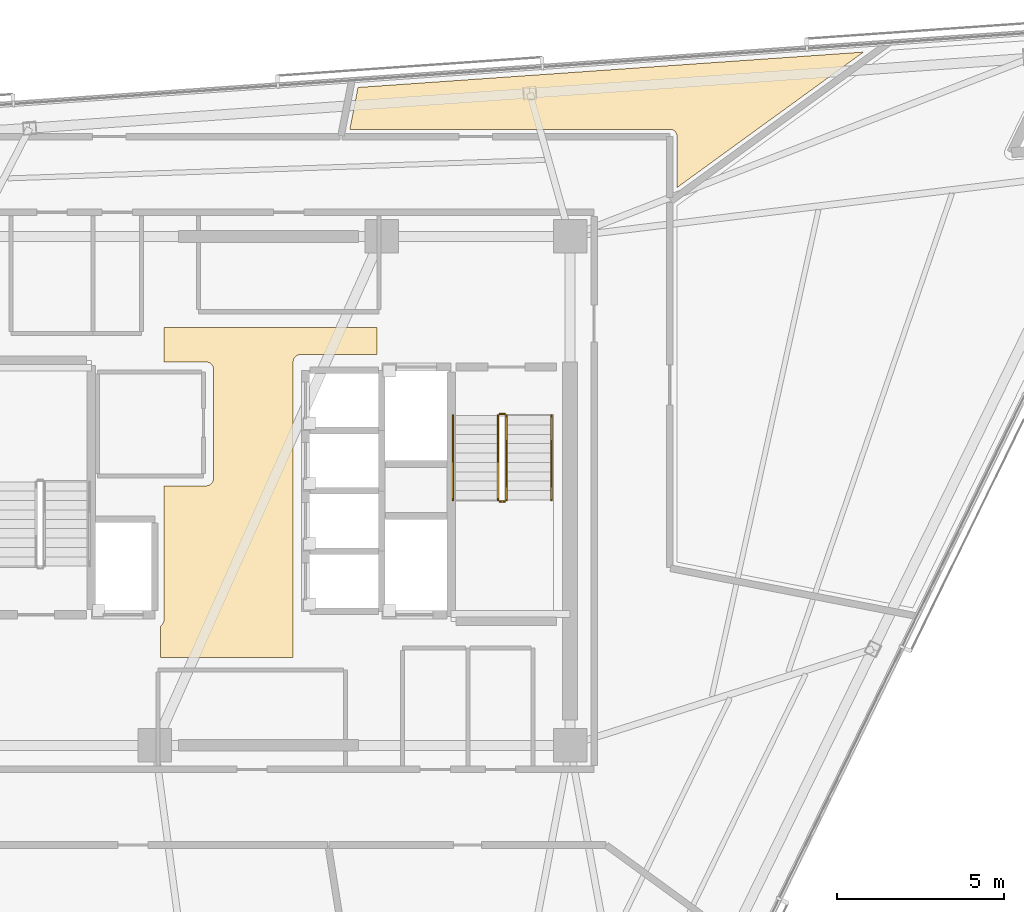
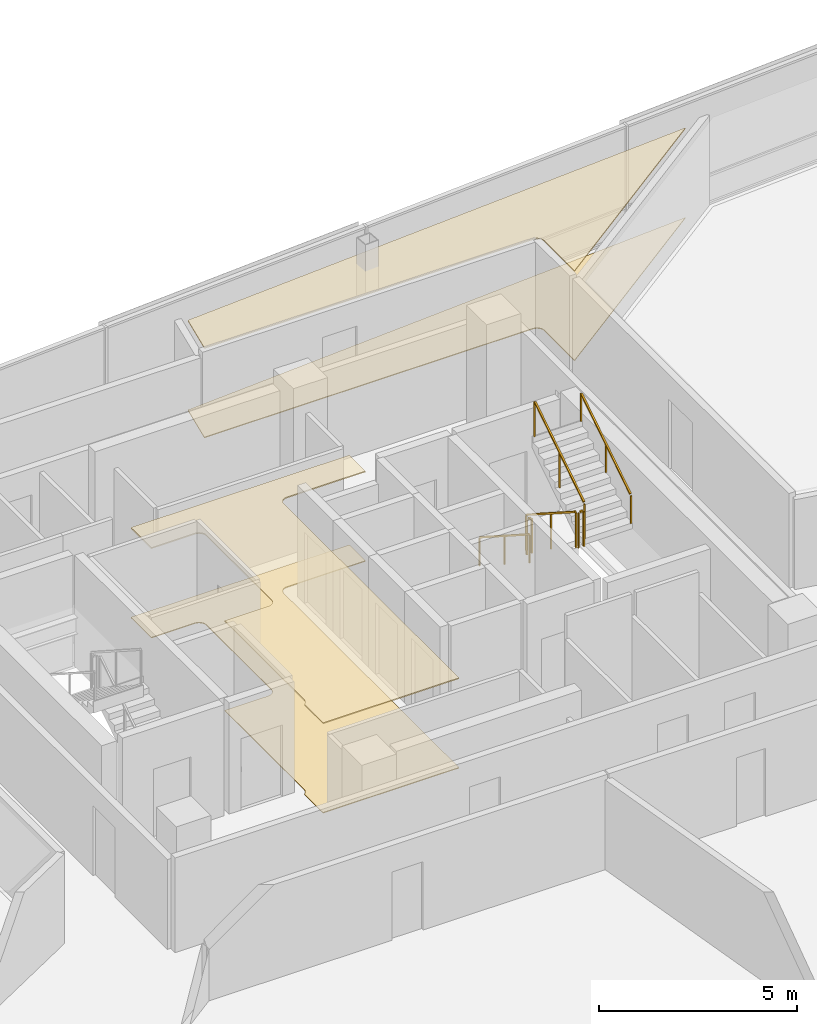
# One storey, part 14 of 15: 6 railings, 4 coverings.
"""IFC4 building model written with IfcOpenShell, lengths in metres."""

from ifc_helpers import new_model, si_unit, direction, frame, origin, origin_2d, place, context, subcontext, project, spatial, polyline, rectangle, outline, extrude, material, layer, layer_set, type_object, element, save


model = new_model("IFC4")

# Units and contexts
model_context = context("Model", 3, precision=1e-05, world=origin(), true_north=direction((0.0, 1.0)))
body_context = subcontext(model_context, "Body", "Model", "MODEL_VIEW")
ifc_project = project(units=[si_unit("LENGTHUNIT", "METRE"), si_unit("AREAUNIT", "SQUARE_METRE"), si_unit("VOLUMEUNIT", "CUBIC_METRE"), si_unit("PLANEANGLEUNIT", "RADIAN"), si_unit("MASSUNIT", "GRAM", prefix="KILO")], contexts=[model_context])

# Site, building, storey
site_placement = place(None, origin())
site = spatial("IfcSite", under=ifc_project, at=site_placement, CompositionType="ELEMENT")
building_placement = place(site_placement, origin())
building = spatial("IfcBuilding", under=site, at=building_placement, Name="Tharavind Bronze Gate", CompositionType="ELEMENT")
storey_placement = place(building_placement, frame((0.0, 0.0, 267.800048828125)))
storey = spatial("IfcBuildingStorey", under=building, at=storey_placement, Name="L69", CompositionType="ELEMENT", Elevation=267.800048828125)

# Coverings
ifc_material_1 = material(Name="Perforated Bronze Acoustic Panel", Category="bronze")
ifc_layer_1 = layer(ifc_material_1, 0.044921875)
ifc_layer_set_1 = layer_set([ifc_layer_1], Name="Perforated Bronze Acoustic Panel")
covering_type_1 = type_object("IfcCoveringType", Name="ACOUSTIC BRONZE BAFFLE CEILING", PredefinedType="CEILING", material=ifc_layer_set_1)
covering_1_placement = place(storey_placement, frame((0.0, 0.0, 2.75)))
element("IfcCovering", 1, at=covering_1_placement, inside=storey, type_object=covering_type_1, Name="L69-C-LL suspended ceiling", PredefinedType="CEILING", context=body_context, shape_type="SweptSolid", body=[
    extrude(outline(polyline([(-3.330078125, -4.97998046875), (0.6298828125, -4.97998046875), (0.6298828125, 3.85009765625), (0.631103515625, 3.87158203125), (0.63427734375, 3.892822265625), (0.639404296875, 3.913818359375), (0.646728515625, 3.93408203125), (0.656005859375, 3.95361328125), (0.6669921875, 3.97216796875), (0.679931640625, 3.989501953125), (0.6943359375, 4.005615234375), (0.71044921875, 4.02001953125), (0.727783203125, 4.032958984375), (0.746337890625, 4.0439453125), (0.765869140625, 4.05322265625), (0.7861328125, 4.060546875), (0.80712890625, 4.06591796875), (0.828369140625, 4.06884765625), (0.85009765625, 4.070068359375), (3.1298828125, 4.070068359375), (3.1298828125, 4.8798828125), (-3.22998046875, 4.8798828125), (-3.22998046875, 3.85009765625), (-1.969970703125, 3.85009765625), (-1.948486328125, 3.848876953125), (-1.927001953125, 3.845703125), (-1.906005859375, 3.840576171875), (-1.8857421875, 3.833251953125), (-1.8662109375, 3.823974609375), (-1.847900390625, 3.81298828125), (-1.830322265625, 3.800048828125), (-1.814453125, 3.78564453125), (-1.7998046875, 3.76953125), (-1.787109375, 3.752197265625), (-1.77587890625, 3.733642578125), (-1.7666015625, 3.714111328125), (-1.759521484375, 3.69384765625), (-1.754150390625, 3.6728515625), (-1.751220703125, 3.651611328125), (-1.75, 3.6298828125), (-1.75, 0.3701171875), (-1.751220703125, 0.348388671875), (-1.754150390625, 0.3271484375), (-1.759521484375, 0.30615234375), (-1.7666015625, 0.285888671875), (-1.77587890625, 0.266357421875), (-1.787109375, 0.247802734375), (-1.7998046875, 0.23046875), (-1.814453125, 0.21435546875), (-1.830322265625, 0.199951171875), (-1.847900390625, 0.18701171875), (-1.8662109375, 0.176025390625), (-1.8857421875, 0.166748046875), (-1.906005859375, 0.159423828125), (-1.927001953125, 0.154296875), (-1.948486328125, 0.151123046875), (-1.969970703125, 0.14990234375), (-3.22998046875, 0.14990234375), (-3.22998046875, -3.85009765625), (-3.231201171875, -3.87158203125), (-3.234130859375, -3.892822265625), (-3.239501953125, -3.913818359375), (-3.24658203125, -3.93408203125), (-3.256103515625, -3.95361328125), (-3.26708984375, -3.97216796875), (-3.27978515625, -3.989501953125), (-3.29443359375, -4.005615234375), (-3.310302734375, -4.02001953125), (-3.327880859375, -4.032958984375), (-3.330078125, -4.0341796875), (-3.330078125, -4.97998046875)])), origin(), (0.0, 0.0, 1.0), 0.034912109375),
])
ifc_material_2 = material(Name="Engineered Oak & Carpet Tile", Category="wood")
ifc_layer_2 = layer(ifc_material_2, 0.02490234375)
ifc_layer_set_2 = layer_set([ifc_layer_2], Name="Engineered Oak & Carpet Tile")
covering_type_2 = type_object("IfcCoveringType", Name="ENGINEERED TIMBER FLOORING", PredefinedType="FLOORING", material=ifc_layer_set_2)
covering_2_placement = place(storey_placement, origin())
element("IfcCovering", 2, at=covering_2_placement, inside=storey, type_object=covering_type_2, Name="L69-RM-01 floor finish", PredefinedType="FLOORING", context=body_context, shape_type="SweptSolid", body=[
    extrude(outline(polyline([(11.87939453125, 10.800048828125), (11.89013671875, 10.7998046875), (11.890869140625, 10.7998046875), (11.912353515625, 10.797607421875), (11.933349609375, 10.79345703125), (11.9541015625, 10.787109375), (11.97412109375, 10.77880859375), (11.9931640625, 10.768798828125), (12.010986328125, 10.756591796875), (12.027587890625, 10.742919921875), (12.04296875, 10.727783203125), (12.056640625, 10.7109375), (12.068603515625, 10.693115234375), (12.078857421875, 10.674072265625), (12.087158203125, 10.654052734375), (12.093505859375, 10.63330078125), (12.09765625, 10.6123046875), (12.099609375, 10.5908203125), (12.099609375, 10.590087890625), (12.10009765625, 10.579345703125), (12.10009765625, 9.06298828125), (17.664306640625, 13.10595703125), (2.56640625, 12.050048828125), (2.323486328125, 10.800048828125), (11.87939453125, 10.800048828125)])), origin(), (0.0, 0.0, 1.0), 0.02490234375),
])
ifc_material_3 = material(Name="Acoustic Gypsum Board", Category="gypsum")
ifc_layer_3 = layer(ifc_material_3, 0.030029296875)
ifc_layer_set_3 = layer_set([ifc_layer_3], Name="Acoustic Gypsum Board")
covering_type_3 = type_object("IfcCoveringType", Name="GYPSUM SUSPENDED CEILING", PredefinedType="CEILING", material=ifc_layer_set_3)
covering_3_placement = place(storey_placement, frame((0.0, 0.0, 2.75)))
element("IfcCovering", 3, at=covering_3_placement, inside=storey, type_object=covering_type_3, Name="L69-RM-01 suspended ceiling", PredefinedType="CEILING", context=body_context, shape_type="SweptSolid", body=[
    extrude(outline(polyline([(11.87939453125, 10.800048828125), (11.89013671875, 10.7998046875), (11.890869140625, 10.7998046875), (11.912353515625, 10.797607421875), (11.933349609375, 10.79345703125), (11.9541015625, 10.787109375), (11.97412109375, 10.77880859375), (11.9931640625, 10.768798828125), (12.010986328125, 10.756591796875), (12.027587890625, 10.742919921875), (12.04296875, 10.727783203125), (12.056640625, 10.7109375), (12.068603515625, 10.693115234375), (12.078857421875, 10.674072265625), (12.087158203125, 10.654052734375), (12.093505859375, 10.63330078125), (12.09765625, 10.6123046875), (12.099609375, 10.5908203125), (12.099609375, 10.590087890625), (12.10009765625, 10.579345703125), (12.10009765625, 9.06298828125), (17.664306640625, 13.10595703125), (2.56640625, 12.050048828125), (2.323486328125, 10.800048828125), (11.87939453125, 10.800048828125)])), origin(), (0.0, 0.0, 1.0), 0.034912109375),
])
ifc_material_4 = material(Name="Honed Travertine Limestone", Category="masonry")
ifc_layer_4 = layer(ifc_material_4, 0.030029296875)
ifc_layer_set_4 = layer_set([ifc_layer_4], Name="Honed Travertine Limestone")
covering_type_4 = type_object("IfcCoveringType", Name="HONED LIMESTONE FLOORING", PredefinedType="FLOORING", material=ifc_layer_set_4)
covering_4_placement = place(storey_placement, origin())
element("IfcCovering", 4, at=covering_4_placement, inside=storey, type_object=covering_type_4, Name="L69-C-LL floor finish", PredefinedType="FLOORING", context=body_context, shape_type="SweptSolid", body=[
    extrude(outline(polyline([(-3.330078125, -4.97998046875), (0.6298828125, -4.97998046875), (0.6298828125, 3.85009765625), (0.631103515625, 3.87158203125), (0.63427734375, 3.892822265625), (0.639404296875, 3.913818359375), (0.646728515625, 3.93408203125), (0.656005859375, 3.95361328125), (0.6669921875, 3.97216796875), (0.679931640625, 3.989501953125), (0.6943359375, 4.005615234375), (0.71044921875, 4.02001953125), (0.727783203125, 4.032958984375), (0.746337890625, 4.0439453125), (0.765869140625, 4.05322265625), (0.7861328125, 4.060546875), (0.80712890625, 4.06591796875), (0.828369140625, 4.06884765625), (0.85009765625, 4.070068359375), (3.1298828125, 4.070068359375), (3.1298828125, 4.8798828125), (-3.22998046875, 4.8798828125), (-3.22998046875, 3.85009765625), (-1.969970703125, 3.85009765625), (-1.948486328125, 3.848876953125), (-1.927001953125, 3.845703125), (-1.906005859375, 3.840576171875), (-1.8857421875, 3.833251953125), (-1.8662109375, 3.823974609375), (-1.847900390625, 3.81298828125), (-1.830322265625, 3.800048828125), (-1.814453125, 3.78564453125), (-1.7998046875, 3.76953125), (-1.787109375, 3.752197265625), (-1.77587890625, 3.733642578125), (-1.7666015625, 3.714111328125), (-1.759521484375, 3.69384765625), (-1.754150390625, 3.6728515625), (-1.751220703125, 3.651611328125), (-1.75, 3.6298828125), (-1.75, 0.3701171875), (-1.751220703125, 0.348388671875), (-1.754150390625, 0.3271484375), (-1.759521484375, 0.30615234375), (-1.7666015625, 0.285888671875), (-1.77587890625, 0.266357421875), (-1.787109375, 0.247802734375), (-1.7998046875, 0.23046875), (-1.814453125, 0.21435546875), (-1.830322265625, 0.199951171875), (-1.847900390625, 0.18701171875), (-1.8662109375, 0.176025390625), (-1.8857421875, 0.166748046875), (-1.906005859375, 0.159423828125), (-1.927001953125, 0.154296875), (-1.948486328125, 0.151123046875), (-1.969970703125, 0.14990234375), (-3.22998046875, 0.14990234375), (-3.22998046875, -3.85009765625), (-3.231201171875, -3.87158203125), (-3.234130859375, -3.892822265625), (-3.239501953125, -3.913818359375), (-3.24658203125, -3.93408203125), (-3.256103515625, -3.95361328125), (-3.26708984375, -3.97216796875), (-3.27978515625, -3.989501953125), (-3.29443359375, -4.005615234375), (-3.310302734375, -4.02001953125), (-3.327880859375, -4.032958984375), (-3.330078125, -4.0341796875), (-3.330078125, -4.97998046875)])), origin(), (0.0, 0.0, 1.0), 0.02490234375),
])

# Railings
ifc_material_5 = material(Name="Brushed Bronze Alloy", Category="metal")
railing_type_1 = type_object("IfcRailingType", Name="STAIR BRONZE HANDRAIL 900", PredefinedType="HANDRAIL", material=ifc_material_5)
railing_1_placement = place(storey_placement, frame((5.39990234375, 2.25, 0.179931640625)))
element("IfcRailing", 5, at=railing_1_placement, inside=storey, type_object=railing_type_1, Name="L69 ST2 stair handrail 1", PredefinedType="HANDRAIL", context=body_context, shape_type="SweptSolid", body=[
    extrude(rectangle(XDim=0.048095703125, YDim=0.048095703125, at=origin_2d()), frame((0.0, -0.02685546875, 0.89306640625), z_axis=(0.0, -0.841162588446, 0.540782303519), x_axis=(1.0, 0.0, 0.0)), (0.0, 0.0, 1.0), 2.931884765625),
    extrude(rectangle(XDim=0.0400390625, YDim=0.0400390625, at=origin_2d()), origin(), (0.0, 0.0, 1.0), 0.847900390625),
    extrude(rectangle(XDim=0.0400390625, YDim=0.0400390625, at=origin_2d()), frame((0.0, -1.260009765625, 0.81005859375)), (0.0, 0.0, 1.0), 0.847900390625),
    extrude(rectangle(XDim=0.0400390625, YDim=0.0400390625, at=origin_2d()), frame((0.0, -2.52001953125, 1.6201171875)), (0.0, 0.0, 1.0), 0.847900390625),
])
railing_2_placement = place(storey_placement, frame((8.35009765625, -0.27001953125, 1.97998046875)))
element("IfcRailing", 6, at=railing_2_placement, inside=storey, type_object=railing_type_1, Name="L69 ST2 stair handrail 2", PredefinedType="HANDRAIL", context=body_context, shape_type="SweptSolid", body=[
    extrude(rectangle(XDim=0.048095703125, YDim=0.048095703125, at=origin_2d()), frame((0.0, 0.02685546875, 0.89306640625), z_axis=(0.0, 0.841199657755, 0.540724639528), x_axis=(-1.0, 0.0, 0.0)), (0.0, 0.0, 1.0), 2.931640625),
    extrude(rectangle(XDim=0.0400390625, YDim=0.0400390625, at=origin_2d()), origin(), (0.0, 0.0, 1.0), 0.847900390625),
    extrude(rectangle(XDim=0.0400390625, YDim=0.0400390625, at=origin_2d()), frame((0.0, 1.260009765625, 0.81005859375)), (0.0, 0.0, 1.0), 0.847900390625),
    extrude(rectangle(XDim=0.0400390625, YDim=0.0400390625, at=origin_2d()), frame((0.0, 2.52001953125, 1.619873046875)), (0.0, 0.0, 1.0), 0.847900390625),
])
railing_type_2 = type_object("IfcRailingType", Name="STAIR WELL GUARD RAILING 1120", PredefinedType="GUARDRAIL", material=ifc_material_5)
railing_3_placement = place(storey_placement, frame((6.75, 2.25, 0.179931640625)))
element("IfcRailing", 7, at=railing_3_placement, inside=storey, type_object=railing_type_2, Name="L69 ST2 stair guard 1", PredefinedType="GUARDRAIL", context=body_context, shape_type="SweptSolid", body=[
    extrude(rectangle(XDim=0.048095703125, YDim=0.048095703125, at=origin_2d()), frame((0.0, -0.02685546875, 1.11328125), z_axis=(0.0, -0.841162588446, 0.540782303519), x_axis=(1.0, 0.0, 0.0)), (0.0, 0.0, 1.0), 2.931884765625),
    extrude(rectangle(XDim=0.0400390625, YDim=0.0400390625, at=origin_2d()), origin(), (0.0, 0.0, 1.0), 1.068115234375),
    extrude(rectangle(XDim=0.0400390625, YDim=0.0400390625, at=origin_2d()), frame((0.0, -1.260009765625, 0.81005859375)), (0.0, 0.0, 1.0), 1.068115234375),
    extrude(rectangle(XDim=0.0400390625, YDim=0.0400390625, at=origin_2d()), frame((0.0, -2.52001953125, 1.6201171875)), (0.0, 0.0, 1.0), 1.068115234375),
])
railing_4_placement = place(storey_placement, frame((6.800048828125, -0.320068359375, 1.800048828125)))
element("IfcRailing", 8, at=railing_4_placement, inside=storey, type_object=railing_type_2, Name="L69 ST2 stair guard 2", PredefinedType="GUARDRAIL", context=body_context, shape_type="SweptSolid", body=[
    extrude(rectangle(XDim=0.048095703125, YDim=0.048095703125, at=origin_2d()), frame((0.031982421875, 0.0, 1.09619140625), z_axis=(1.0, 0.0, 0.0), x_axis=(0.0, 1.0, 0.0)), (0.0, 0.0, 1.0), 0.0859375),
    extrude(rectangle(XDim=0.0400390625, YDim=0.0400390625, at=origin_2d()), origin(), (0.0, 0.0, 1.0), 1.068115234375),
    extrude(rectangle(XDim=0.0400390625, YDim=0.0400390625, at=origin_2d()), frame((0.14990234375, 0.0, 0.0)), (0.0, 0.0, 1.0), 1.068115234375),
])
railing_5_placement = place(storey_placement, frame((7.0, -0.27001953125, 1.97998046875)))
element("IfcRailing", 9, at=railing_5_placement, inside=storey, type_object=railing_type_2, Name="L69 ST2 stair guard 3", PredefinedType="GUARDRAIL", context=body_context, shape_type="SweptSolid", body=[
    extrude(rectangle(XDim=0.048095703125, YDim=0.048095703125, at=origin_2d()), frame((0.0, 0.02685546875, 1.11328125), z_axis=(0.0, 0.841199657755, 0.540724639528), x_axis=(-1.0, 0.0, 0.0)), (0.0, 0.0, 1.0), 2.931640625),
    extrude(rectangle(XDim=0.0400390625, YDim=0.0400390625, at=origin_2d()), origin(), (0.0, 0.0, 1.0), 1.068115234375),
    extrude(rectangle(XDim=0.0400390625, YDim=0.0400390625, at=origin_2d()), frame((0.0, 1.260009765625, 0.81005859375)), (0.0, 0.0, 1.0), 1.068115234375),
    extrude(rectangle(XDim=0.0400390625, YDim=0.0400390625, at=origin_2d()), frame((0.0, 2.52001953125, 1.619873046875)), (0.0, 0.0, 1.0), 1.068115234375),
])
railing_6_placement = place(storey_placement, frame((6.800048828125, 2.300048828125, 0.0)))
element("IfcRailing", 10, at=railing_6_placement, inside=storey, type_object=railing_type_2, Name="L69 ST2 stair guard 4", PredefinedType="GUARDRAIL", context=body_context, shape_type="SweptSolid", body=[
    extrude(rectangle(XDim=0.048095703125, YDim=0.048095703125, at=origin_2d()), frame((0.031982421875, 0.0, 1.09619140625), z_axis=(1.0, 0.0, 0.0), x_axis=(0.0, 1.0, 0.0)), (0.0, 0.0, 1.0), 0.0859375),
    extrude(rectangle(XDim=0.0400390625, YDim=0.0400390625, at=origin_2d()), origin(), (0.0, 0.0, 1.0), 1.068115234375),
    extrude(rectangle(XDim=0.0400390625, YDim=0.0400390625, at=origin_2d()), frame((0.14990234375, 0.0, 0.0)), (0.0, 0.0, 1.0), 1.068115234375),
])

save(model, "model.ifc")
